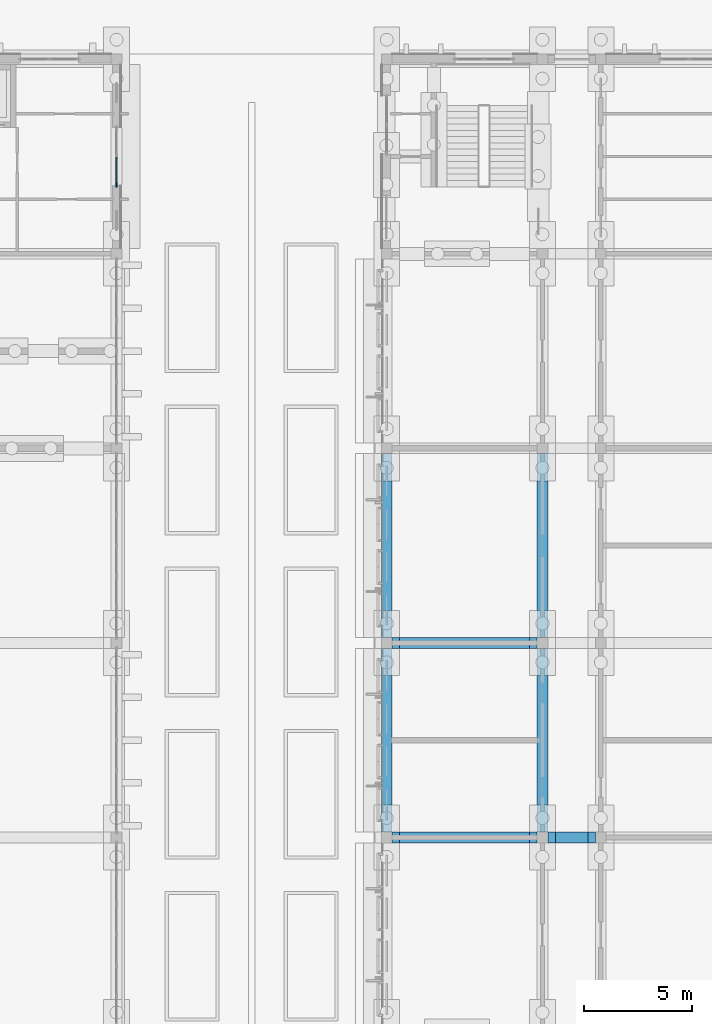
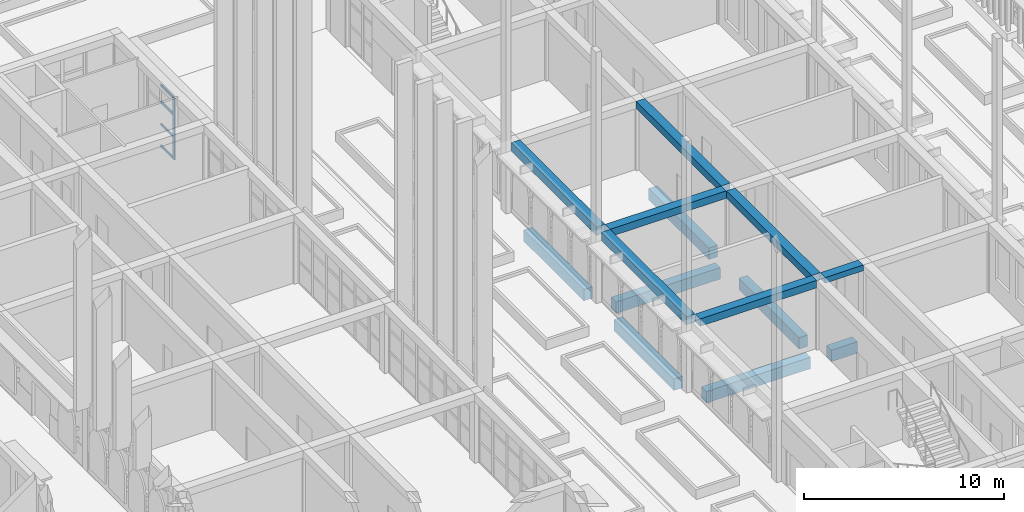
# One storey, part 27 of 161: 14 beams, 5 members, 1 element without a shape of its own.
"""IFC4 building model written with IfcOpenShell, lengths in metres."""

from ifc_helpers import new_model, si_unit, direction, frame, origin, origin_2d, place, context, subcontext, project, spatial, rectangle, extrude, material, layer, layer_set, material_profile, profile_set, type_object, element, aggregate, save


model = new_model("IFC4")

# Units and contexts
model_context = context("Model", 3, precision=1e-05, world=origin(), true_north=direction((0.0, 1.0)))
body_context = subcontext(model_context, "Body", "Model", "MODEL_VIEW")
ifc_project = project(units=[si_unit("LENGTHUNIT", "METRE"), si_unit("AREAUNIT", "SQUARE_METRE"), si_unit("VOLUMEUNIT", "CUBIC_METRE"), si_unit("PLANEANGLEUNIT", "RADIAN"), si_unit("MASSUNIT", "GRAM", prefix="KILO")], contexts=[model_context])

# Site, building, storey
site_placement = place(None, origin())
site = spatial("IfcSite", under=ifc_project, at=site_placement, CompositionType="ELEMENT")
building_placement = place(site_placement, origin())
building = spatial("IfcBuilding", under=site, at=building_placement, Name="Elbe Cascade School", CompositionType="ELEMENT")
storey_placement = place(building_placement, origin())
storey = spatial("IfcBuildingStorey", under=building, at=storey_placement, Name="L00", CompositionType="ELEMENT", Elevation=0.0)

# Curtain wall, members
ifc_material_1 = material(Name="Aluminium frame with double glazing, bronze anodised", Category="aluminium")
ifc_layer = layer(ifc_material_1, 0.199951171875)
ifc_layer_set = layer_set([ifc_layer], Name="Aluminium frame with double glazing, bronze anodised")
curtain_wall_type = type_object("IfcCurtainWallType", Name="Bars envelope Curtain wall, aluminium, bronze anodised, ground floor tall run", PredefinedType="NOTDEFINED", material=ifc_layer_set)
curtain_wall_placement = place(storey_placement, origin())
curtain_wall = element("IfcCurtainWall", 1, at=curtain_wall_placement, inside=storey, type_object=curtain_wall_type, Name="Curtain wall CW3 A.L00.e6", PredefinedType="NOTDEFINED")
ifc_material_2 = material(Name="Aluminium mullion, bronze anodised", Category="aluminium")
ifc_material_profile_1 = material_profile(ifc_material_2, rectangle(XDim=0.06005859375, YDim=0.199951171875, at=origin_2d()), Name="Bars envelope Curtain wall mullion 60 x 200, aluminium, ground floor tall run")
ifc_profile_set_1 = profile_set([ifc_material_profile_1], Name="Aluminium mullion, bronze anodised")
member_type_1 = type_object("IfcMemberType", Name="Bars envelope Curtain wall mullion 60 x 200, aluminium, ground floor tall run", PredefinedType="MULLION", material=ifc_profile_set_1)
member_1_placement = place(storey_placement, frame((86.10009765625, 54.179931640625, 0.0), z_axis=(0.0, 0.0, 1.0), x_axis=(1.0, 0.0, 0.0)))
member_1 = element("IfcMember", 2, at=member_1_placement, type_object=member_type_1, Name="CW3 mullion 3", PredefinedType="MULLION", context=body_context, shape_type="SweptSolid", body=[
    extrude(rectangle(XDim=0.06005859375, YDim=0.199951171875, at=origin_2d()), origin(), (0.0, 0.0, 1.0), 3.75),
])
ifc_material_3 = material(Name="Aluminium transom, bronze anodised", Category="aluminium")
ifc_material_profile_2 = material_profile(ifc_material_3, rectangle(XDim=0.06005859375, YDim=0.139892578125, at=origin_2d()), Name="Bars envelope Curtain wall transom 60 x 140, aluminium, ground floor tall run")
ifc_profile_set_2 = profile_set([ifc_material_profile_2], Name="Aluminium transom, bronze anodised")
member_type_2 = type_object("IfcMemberType", Name="Bars envelope Curtain wall transom 60 x 140, aluminium, ground floor tall run", PredefinedType="USERDEFINED", material=ifc_profile_set_2)
member_2_placement = place(storey_placement, frame((86.10009765625, 55.469970703125, 0.030029296875), z_axis=(0.0, -1.0, 0.0), x_axis=(1.0, 0.0, 0.0)))
member_2 = element("IfcMember", 3, at=member_2_placement, type_object=member_type_2, Name="CW3 transom 2.1", ObjectType="TRANSOM", PredefinedType="USERDEFINED", context=body_context, shape_type="SweptSolid", body=[
    extrude(rectangle(XDim=0.06005859375, YDim=0.139892578125, at=origin_2d()), origin(), (0.0, 0.0, 1.0), 1.260009765625),
])
member_3_placement = place(storey_placement, frame((86.10009765625, 55.469970703125, 1.35009765625), z_axis=(0.0, -1.0, 0.0), x_axis=(1.0, 0.0, 0.0)))
member_3 = element("IfcMember", 4, at=member_3_placement, type_object=member_type_2, Name="CW3 transom 2.2", ObjectType="TRANSOM", PredefinedType="USERDEFINED", context=body_context, shape_type="SweptSolid", body=[
    extrude(rectangle(XDim=0.06005859375, YDim=0.139892578125, at=origin_2d()), origin(), (0.0, 0.0, 1.0), 1.260009765625),
])
member_4_placement = place(storey_placement, frame((86.10009765625, 55.469970703125, 2.699951171875), z_axis=(0.0, -1.0, 0.0), x_axis=(1.0, 0.0, 0.0)))
member_4 = element("IfcMember", 5, at=member_4_placement, type_object=member_type_2, Name="CW3 transom 2.3", ObjectType="TRANSOM", PredefinedType="USERDEFINED", context=body_context, shape_type="SweptSolid", body=[
    extrude(rectangle(XDim=0.06005859375, YDim=0.139892578125, at=origin_2d()), origin(), (0.0, 0.0, 1.0), 1.260009765625),
])
member_5_placement = place(storey_placement, frame((86.10009765625, 55.469970703125, 3.719970703125), z_axis=(0.0, -1.0, 0.0), x_axis=(1.0, 0.0, 0.0)))
member_5 = element("IfcMember", 6, at=member_5_placement, type_object=member_type_2, Name="CW3 transom 2.4", ObjectType="TRANSOM", PredefinedType="USERDEFINED", context=body_context, shape_type="SweptSolid", body=[
    extrude(rectangle(XDim=0.06005859375, YDim=0.139892578125, at=origin_2d()), origin(), (0.0, 0.0, 1.0), 1.260009765625),
])
aggregate(curtain_wall, [member_1, member_2, member_3, member_4, member_5])

# Beams
ifc_material_4 = material(Name="Concrete C30/37", Category="concrete")
ifc_material_profile_3 = material_profile(ifc_material_4, rectangle(XDim=0.5, YDim=0.699951171875, at=origin_2d()), Name="RC 500x700")
ifc_profile_set_3 = profile_set([ifc_material_profile_3], Name="Concrete C30/37")
beam_type_1 = type_object("IfcBeamType", Name="Found ground beam RC 500x700", PredefinedType="BEAM", material=ifc_profile_set_3)
beam_1_placement = place(storey_placement, frame((99.199951171875, 24.0, -0.64990234375), z_axis=(1.0, 0.0, 0.0), x_axis=(0.0, 1.0, 0.0)))
element("IfcBeam", 7, at=beam_1_placement, inside=storey, type_object=beam_type_1, Name="Ground beam 222", PredefinedType="BEAM", context=body_context, shape_type="SweptSolid", body=[
    extrude(rectangle(XDim=0.5, YDim=0.699951171875, at=origin_2d()), origin(), (0.0, 0.0, 1.0), 6.0),
])
beam_2_placement = place(storey_placement, frame((106.39990234375, 24.0, -0.64990234375), z_axis=(1.0, 0.0, 0.0), x_axis=(0.0, 1.0, 0.0)))
element("IfcBeam", 8, at=beam_2_placement, inside=storey, type_object=beam_type_1, Name="Ground beam 223", PredefinedType="BEAM", context=body_context, shape_type="SweptSolid", body=[
    extrude(rectangle(XDim=0.5, YDim=0.699951171875, at=origin_2d()), origin(), (0.0, 0.0, 1.0), 1.5),
])
for number, where, z_axis, x_axis, name in (
    (9, (99.199951171875, 33.0, -0.64990234375), (1.0, 0.0, 0.0), (0.0, 1.0, 0.0), "Ground beam 225"),
    (10, (98.60009765625, 25.5, -0.64990234375), (0.0, 1.0, 0.0), (-1.0, 0.0, 0.0), "Ground beam 234"),
    (11, (98.60009765625, 34.5, -0.64990234375), (0.0, 1.0, 0.0), (-1.0, 0.0, 0.0), "Ground beam 235"),
    (12, (105.800048828125, 25.5, -0.64990234375), (0.0, 1.0, 0.0), (-1.0, 0.0, 0.0), "Ground beam 238"),
    (13, (105.800048828125, 34.5, -0.64990234375), (0.0, 1.0, 0.0), (-1.0, 0.0, 0.0), "Ground beam 239"),
):
    element("IfcBeam", number, at=place(storey_placement, frame(where, z_axis=z_axis, x_axis=x_axis)), inside=storey, type_object=beam_type_1, Name=name, PredefinedType="BEAM", context=body_context, shape_type="SweptSolid", body=[
        extrude(rectangle(XDim=0.5, YDim=0.699951171875, at=origin_2d()), origin(), (0.0, 0.0, 1.0), 6.0),
    ])
ifc_material_5 = material(Name="Concrete C30/37", Category="concrete")
ifc_material_profile_4 = material_profile(ifc_material_5, rectangle(XDim=0.5, YDim=0.35009765625, at=origin_2d()), Name="RC 500x350")
ifc_profile_set_4 = profile_set([ifc_material_profile_4], Name="Concrete C30/37")
beam_type_2 = type_object("IfcBeamType", Name="RC 500x350 beam", PredefinedType="BEAM", material=ifc_profile_set_4)
beam_3_placement = place(storey_placement, frame((106.050048828125, 24.0, 4.074951171875), z_axis=(1.0, 0.0, 0.0), x_axis=(0.0, 1.0, 0.0)))
element("IfcBeam", 14, at=beam_3_placement, inside=storey, type_object=beam_type_2, Name="RC 500x350 beam B8", PredefinedType="BEAM", context=body_context, shape_type="SweptSolid", body=[
    extrude(rectangle(XDim=0.5, YDim=0.35009765625, at=origin_2d()), origin(), (0.0, 0.0, 1.0), 2.199951171875),
])
ifc_material_6 = material(Name="Concrete C30/37", Category="concrete")
ifc_material_profile_5 = material_profile(ifc_material_6, rectangle(XDim=0.5, YDim=0.449951171875, at=origin_2d()), Name="RC 500x450")
ifc_profile_set_5 = profile_set([ifc_material_profile_5], Name="Concrete C30/37")
beam_type_3 = type_object("IfcBeamType", Name="RC 500x450 beam", PredefinedType="BEAM", material=ifc_profile_set_5)
for number, where, z_axis, x_axis, name in (
    (15, (105.800048828125, 24.25, 4.02490234375), (0.0, 1.0, 0.0), (-1.0, 0.0, 0.0), "RC 500x450 beam B7"),
    (16, (105.800048828125, 33.25, 4.02490234375), (0.0, 1.0, 0.0), (-1.0, 0.0, 0.0), "RC 500x450 beam B7"),
):
    element("IfcBeam", number, at=place(storey_placement, frame(where, z_axis=z_axis, x_axis=x_axis)), inside=storey, type_object=beam_type_3, Name=name, PredefinedType="BEAM", context=body_context, shape_type="SweptSolid", body=[
        extrude(rectangle(XDim=0.5, YDim=0.449951171875, at=origin_2d()), origin(), (0.0, 0.0, 1.0), 8.5),
    ])
for number, where, z_axis, x_axis, name in (
    (17, (98.85009765625, 24.0, 4.02490234375), (1.0, 0.0, 0.0), (0.0, 1.0, 0.0), "RC 500x450 beam B7"),
    (18, (98.85009765625, 33.0, 4.02490234375), (1.0, 0.0, 0.0), (0.0, 1.0, 0.0), "RC 500x450 beam B7"),
):
    element("IfcBeam", number, at=place(storey_placement, frame(where, z_axis=z_axis, x_axis=x_axis)), inside=storey, type_object=beam_type_3, Name=name, PredefinedType="BEAM", context=body_context, shape_type="SweptSolid", body=[
        extrude(rectangle(XDim=0.5, YDim=0.449951171875, at=origin_2d()), origin(), (0.0, 0.0, 1.0), 6.699951171875),
    ])
ifc_material_7 = material(Name="Concrete C30/37", Category="concrete")
ifc_material_profile_6 = material_profile(ifc_material_7, rectangle(XDim=0.5, YDim=0.5, at=origin_2d()), Name="RC 500x500")
ifc_profile_set_6 = profile_set([ifc_material_profile_6], Name="Concrete C30/37")
beam_type_4 = type_object("IfcBeamType", Name="RC 500x500 beam", PredefinedType="BEAM", material=ifc_profile_set_6)
for number, where, z_axis, x_axis, name in (
    (19, (98.60009765625, 24.25, 4.0), (0.0, 1.0, 0.0), (-1.0, 0.0, 0.0), "RC 500x500 beam B6"),
    (20, (98.60009765625, 33.25, 4.0), (0.0, 1.0, 0.0), (-1.0, 0.0, 0.0), "RC 500x500 beam B6"),
):
    element("IfcBeam", number, at=place(storey_placement, frame(where, z_axis=z_axis, x_axis=x_axis)), inside=storey, type_object=beam_type_4, Name=name, PredefinedType="BEAM", context=body_context, shape_type="SweptSolid", body=[
        extrude(rectangle(XDim=0.5, YDim=0.5, at=origin_2d()), origin(), (0.0, 0.0, 1.0), 8.5),
    ])

save(model, "model.ifc")
